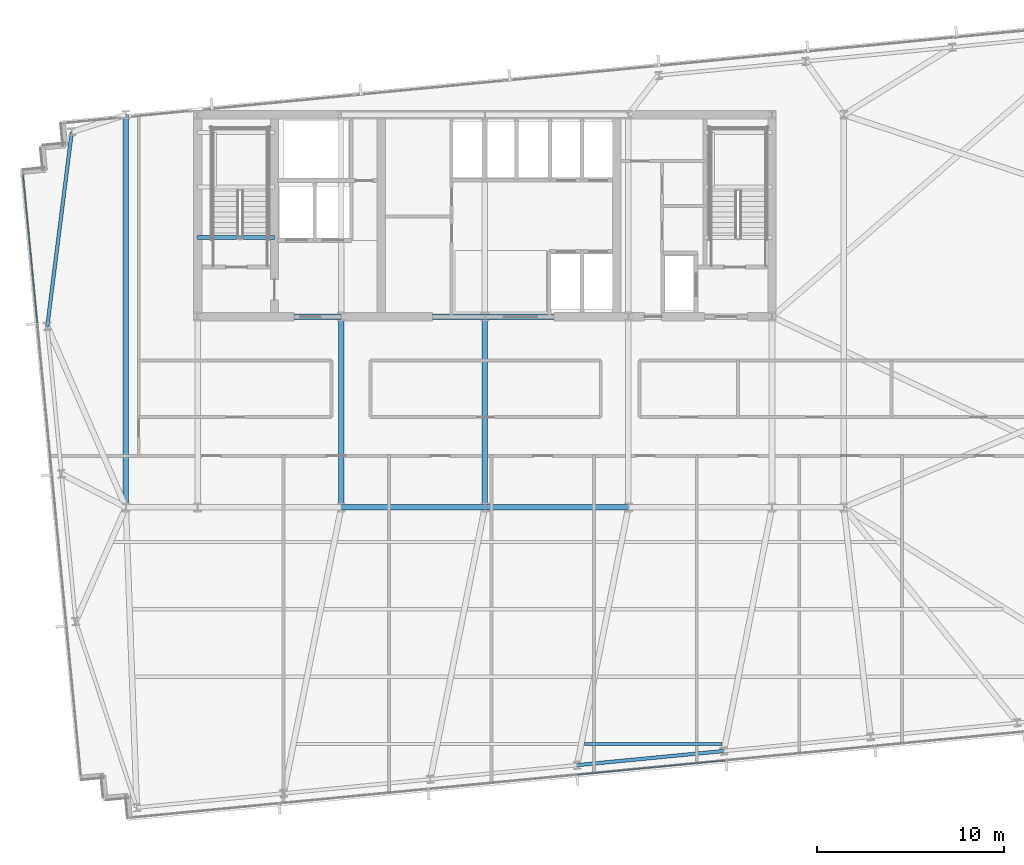
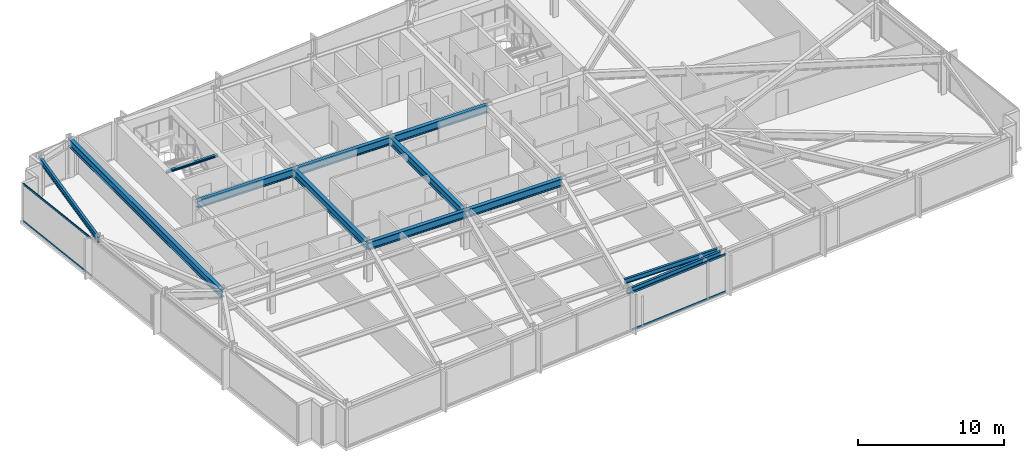
# One storey, part 9 of 32: 12 beams, 4 members, 2 elements without a shape of their own.
"""IFC4 building model written with IfcOpenShell, lengths in metres."""

import ifcopenshell
import ifcopenshell.guid

model = None  # the IFC model being written
_history = None  # IfcOwnerHistory: only IFC2X3 demands one
_inside = {}  # id of a spatial element -> (the spatial element, [elements in it])
_under = {}  # id of a project, library or spatial element -> (it, [spatial elements below it])
_declared = {}  # id of a project -> (the project, [libraries it declares])
_typed = {}  # id of a type object -> (the type object, [elements of that type])
_made_of = {}  # id of a material, layer set ... -> (it, [elements and type objects made of it])


def new_model(schema):
    """Start an empty IFC model of exactly this schema.

    Asked for "IFC4X3", IfcOpenShell would pick the latest addendum, in which some entities
    have other attributes; the version numbers below select the first issue.
    IFC2X3 requires an IfcOwnerHistory on every rooted entity: one is made here for all.
    """
    global model, _history
    if schema == "IFC4X3":
        model = ifcopenshell.file(schema_version=(4, 3, 0, 0))
    else:
        model = ifcopenshell.file(schema=schema)
    _inside.clear()
    _under.clear()
    _declared.clear()
    _typed.clear()
    _made_of.clear()
    _history = None
    if model.schema == "IFC2X3":
        org = make("IfcOrganization", Name="unknown")
        user = make(
            "IfcPersonAndOrganization",
            ThePerson=make("IfcPerson", FamilyName="unknown"),
            TheOrganization=org,
        )
        app = make(
            "IfcApplication",
            ApplicationDeveloper=org,
            Version="unknown",
            ApplicationFullName="unknown",
            ApplicationIdentifier="unknown",
        )
        _history = make(
            "IfcOwnerHistory",
            OwningUser=user,
            OwningApplication=app,
            ChangeAction="ADDED",
            CreationDate=0,
        )
    return model


def make(cls, **values):
    """One entity of the class cls with the attributes given. An attribute that is None is left unset."""
    return model.create_entity(
        cls, **{name: value for name, value in values.items() if value is not None}
    )


def rooted(cls, **values):
    """An entity with a GlobalId (a new one), such as an element, a storey or a relation."""
    return make(cls, GlobalId=ifcopenshell.guid.new(), OwnerHistory=_history, **values)


def si_unit(unit_type, name, prefix=None):
    """IfcSIUnit, for example si_unit("LENGTHUNIT", "METRE", prefix="MILLI")."""
    return make("IfcSIUnit", UnitType=unit_type, Prefix=prefix, Name=name)


def assignment(units):
    """IfcUnitAssignment: the units of a project."""
    return None if units is None else make("IfcUnitAssignment", Units=units)


def point(xyz):
    """IfcCartesianPoint."""
    return None if xyz is None else make("IfcCartesianPoint", Coordinates=xyz)


def direction(xyz):
    """IfcDirection."""
    return None if xyz is None else make("IfcDirection", DirectionRatios=xyz)


def frame(location, z_axis=None, x_axis=None):
    """IfcAxis2Placement3D, a coordinate frame: its origin and axes. An axis left out is left unset."""
    return make(
        "IfcAxis2Placement3D",
        Location=point(location),
        Axis=direction(z_axis),
        RefDirection=direction(x_axis),
    )


def frame_2d(location, x_axis=None):
    """IfcAxis2Placement2D, a coordinate frame in the plane: its origin and x axis."""
    return make(
        "IfcAxis2Placement2D", Location=point(location), RefDirection=direction(x_axis)
    )


def origin():
    """The frame at (0, 0, 0) with its axes left unset."""
    return frame((0.0, 0.0, 0.0))


def origin_2d():
    """The frame at (0, 0) in the plane with its x axis left unset."""
    return frame_2d((0.0, 0.0))


def place(relative_to, where):
    """IfcLocalPlacement: puts the frame where relative to a parent placement (None: the world)."""
    return make(
        "IfcLocalPlacement", PlacementRelTo=relative_to, RelativePlacement=where
    )


def context(
    kind, dimensions, precision=None, world=None, true_north=None, identifier=None
):
    """IfcGeometricRepresentationContext, for example the 3D "Model" context."""
    return make(
        "IfcGeometricRepresentationContext",
        ContextIdentifier=identifier,
        ContextType=kind,
        CoordinateSpaceDimension=dimensions,
        Precision=precision,
        WorldCoordinateSystem=world,
        TrueNorth=true_north,
    )


def subcontext(parent, identifier, kind, view, scale=None):
    """IfcGeometricRepresentationSubContext, for example "Body" below "Model"."""
    return make(
        "IfcGeometricRepresentationSubContext",
        ContextIdentifier=identifier,
        ContextType=kind,
        ParentContext=parent,
        TargetScale=scale,
        TargetView=view,
    )


def project(units=None, contexts=None):
    """IfcProject with its units and contexts."""
    return rooted(
        "IfcProject",
        Name="project",
        RepresentationContexts=contexts,
        UnitsInContext=assignment(units),
    )


def spatial(cls, under=None, at=None, **own):
    """A site, building, storey or space (cls), placed at a placement, below another one or the project."""
    s = rooted(cls, ObjectPlacement=at, **own)
    if under is not None:
        _under.setdefault(under.id(), (under, []))[1].append(s)
    return s


def profile(cls, at=None, kind="AREA", **sizes):
    """A parametric profile (cls). Its sizes go by their IFC names, for example OverallWidth=200.0."""
    return make(cls, ProfileType=kind, Position=at, **sizes)


def hollow_rectangle(**sizes):
    """IfcRectangleHollowProfileDef."""
    return profile("IfcRectangleHollowProfileDef", **sizes)


def i_section(**sizes):
    """IfcIShapeProfileDef."""
    return profile("IfcIShapeProfileDef", **sizes)


def extrude(swept, where, along, depth):
    """IfcExtrudedAreaSolid: the profile swept, set in the frame where, extruded along a direction by depth."""
    return make(
        "IfcExtrudedAreaSolid",
        SweptArea=swept,
        Position=where,
        ExtrudedDirection=direction(along),
        Depth=depth,
    )


def shape(context_of_items, identifier, shape_type, items):
    """IfcShapeRepresentation: the items that make up one representation, for example the "Body"."""
    return make(
        "IfcShapeRepresentation",
        ContextOfItems=context_of_items,
        RepresentationIdentifier=identifier,
        RepresentationType=shape_type,
        Items=items,
    )


def material(Name=None, Category=None):
    """IfcMaterial."""
    return make("IfcMaterial", Name=Name, Category=Category)


def material_profile(
    of_material, cross_section, Name=None, Category=None, Priority=None
):
    """IfcMaterialProfile: a cross section and its material."""
    return make(
        "IfcMaterialProfile",
        Name=Name,
        Material=of_material,
        Profile=cross_section,
        Priority=Priority,
        Category=Category,
    )


def profile_set(profiles, Name=None, composite=None):
    """IfcMaterialProfileSet."""
    return make(
        "IfcMaterialProfileSet",
        Name=Name,
        MaterialProfiles=profiles,
        CompositeProfile=composite,
    )


def made_of(thing, what):
    """Note that an element or type object is made of a material, layer set ...; save() writes the relation."""
    if what is not None:
        _made_of.setdefault(what.id(), (what, []))[1].append(thing)
    return thing


def type_object(cls, material=None, **own):
    """A type object (cls), such as IfcWallType, which elements share."""
    return made_of(rooted(cls, **own), material)


def element(
    cls,
    number,
    at=None,
    inside=None,
    cuts=None,
    type_object=None,
    material=None,
    context=None,
    identifier="Body",
    shape_type=None,
    held_by="IfcProductDefinitionShape",
    body=None,
    shapes=None,
    **own,
):
    """One element of the class cls, such as IfcWall. Its Tag is "e" and its number.

    at: its placement. inside: the storey or other place that contains it. cuts: it is an
    opening in that element (IfcRelVoidsElement). A single representation is given by context,
    identifier, shape_type and body (its items); several are given by shapes. held_by: the class
    of the entity that holds the representations. save() writes the other relations.
    """
    e = rooted(cls, Tag="e%d" % number, ObjectPlacement=at, **own)
    if body is not None:
        shapes = [shape(context, identifier, shape_type, body)]
    if shapes is not None:
        e.Representation = make(held_by, Representations=shapes)
    if inside is not None:
        _inside.setdefault(inside.id(), (inside, []))[1].append(e)
    if cuts is not None:
        rooted(
            "IfcRelVoidsElement", RelatingBuildingElement=cuts, RelatedOpeningElement=e
        )
    if type_object is not None:
        _typed.setdefault(type_object.id(), (type_object, []))[1].append(e)
    return made_of(e, material)


def aggregate(whole, parts):
    """IfcRelAggregates: a whole, such as a stair, and the parts it consists of."""
    return rooted("IfcRelAggregates", RelatingObject=whole, RelatedObjects=parts)


def save(model, path):
    """Write the relations noted so far, then the file.

    IfcRelAggregates (storeys below a building ...), IfcRelContainedInSpatialStructure (elements
    in a storey), IfcRelDefinesByType, IfcRelAssociatesMaterial and IfcRelDeclares: one each for
    every whole, place, type object, material and project.
    """
    for whole, parts in _under.values():
        aggregate(whole, parts)
    for where, things in _inside.values():
        rooted(
            "IfcRelContainedInSpatialStructure",
            RelatedElements=things,
            RelatingStructure=where,
        )
    for kind, things in _typed.values():
        rooted("IfcRelDefinesByType", RelatedObjects=things, RelatingType=kind)
    for what, things in _made_of.values():
        rooted("IfcRelAssociatesMaterial", RelatedObjects=things, RelatingMaterial=what)
    for by, libraries in _declared.values():
        rooted("IfcRelDeclares", RelatingContext=by, RelatedDefinitions=libraries)
    model.write(path)


model = new_model("IFC4")

# Units and contexts
model_context = context("Model", 3, precision=1e-05, world=origin(), true_north=direction((0.0, 1.0)))
body_context = subcontext(model_context, "Body", "Model", "MODEL_VIEW")
ifc_project = project(units=[si_unit("LENGTHUNIT", "METRE"), si_unit("AREAUNIT", "SQUARE_METRE"), si_unit("VOLUMEUNIT", "CUBIC_METRE"), si_unit("PLANEANGLEUNIT", "RADIAN"), si_unit("MASSUNIT", "GRAM", prefix="KILO")], contexts=[model_context])

# Site, building, storey
site_placement = place(None, origin())
site = spatial("IfcSite", under=ifc_project, at=site_placement, CompositionType="ELEMENT")
building_placement = place(site_placement, origin())
building = spatial("IfcBuilding", under=site, at=building_placement, Name="Yelkora Congress Tower", CompositionType="ELEMENT")
storey_placement = place(building_placement, frame((0.0, 0.0, 130.5)))
storey = spatial("IfcBuildingStorey", under=building, at=storey_placement, Name="L35", CompositionType="ELEMENT", Elevation=130.5)

# Beams
ifc_material_1 = material(Name="Steel S355J2", Category="steel")
ifc_material_profile_1 = material_profile(ifc_material_1, i_section(OverallWidth=0.300048828125, OverallDepth=0.64990234375, WebThickness=0.01611328125, FlangeThickness=0.031005859375, FilletRadius=0.027099609375, at=origin_2d()), Name="HEB 650")
ifc_profile_set_1 = profile_set([ifc_material_profile_1], Name="Steel S355J2")
beam_type_1 = type_object("IfcBeamType", Name="BM-GIRD-HEB650", PredefinedType="BEAM", material=ifc_profile_set_1)
beam_1_placement = place(storey_placement, frame((30.719970703125, 25.199951171875, 2.85498046875), z_axis=(1.0, 0.0, 0.0), x_axis=(0.0, 1.0, 0.0)))
element("IfcBeam", 1, at=beam_1_placement, inside=storey, type_object=beam_type_1, Name="L35 Spine Grid D Girder 3", PredefinedType="BEAM", context=body_context, shape_type="SweptSolid", body=[
    extrude(i_section(OverallWidth=0.300048828125, OverallDepth=0.64990234375, WebThickness=0.01611328125, FlangeThickness=0.031005859375, FilletRadius=0.027099609375, at=origin_2d()), origin(), (0.0, 0.0, 1.0), 7.679931640625),
])
beam_2_placement = place(storey_placement, frame((38.39990234375, 25.199951171875, 2.85498046875), z_axis=(1.0, 0.0, 0.0), x_axis=(0.0, 1.0, 0.0)))
element("IfcBeam", 2, at=beam_2_placement, inside=storey, type_object=beam_type_1, Name="L35 Spine Grid D Girder 4", PredefinedType="BEAM", context=body_context, shape_type="SweptSolid", body=[
    extrude(i_section(OverallWidth=0.300048828125, OverallDepth=0.64990234375, WebThickness=0.01611328125, FlangeThickness=0.031005859375, FilletRadius=0.027099609375, at=origin_2d()), origin(), (0.0, 0.0, 1.0), 7.68017578125),
])
for number, where, z_axis, x_axis, name in (
    (3, (23.0400390625, 35.39990234375, 2.85498046875), (1.0, 0.0, 0.0), (0.0, 1.0, 0.0), "L35 Core South Girder 1"),
    (4, (30.719970703125, 35.39990234375, 2.85498046875), (1.0, 0.0, 0.0), (0.0, 1.0, 0.0), "L35 Core South Girder 2"),
):
    element("IfcBeam", number, at=place(storey_placement, frame(where, z_axis=z_axis, x_axis=x_axis)), inside=storey, type_object=beam_type_1, Name=name, PredefinedType="BEAM", context=body_context, shape_type="SweptSolid", body=[
        extrude(i_section(OverallWidth=0.300048828125, OverallDepth=0.64990234375, WebThickness=0.01611328125, FlangeThickness=0.031005859375, FilletRadius=0.027099609375, at=origin_2d()), origin(), (0.0, 0.0, 1.0), 7.679931640625),
    ])
beam_3_placement = place(storey_placement, frame((38.39990234375, 35.39990234375, 2.85498046875), z_axis=(1.0, 0.0, 0.0), x_axis=(0.0, 1.0, 0.0)))
element("IfcBeam", 5, at=beam_3_placement, inside=storey, type_object=beam_type_1, Name="L35 Core South Girder 3", PredefinedType="BEAM", context=body_context, shape_type="SweptSolid", body=[
    extrude(i_section(OverallWidth=0.300048828125, OverallDepth=0.64990234375, WebThickness=0.01611328125, FlangeThickness=0.031005859375, FilletRadius=0.027099609375, at=origin_2d()), origin(), (0.0, 0.0, 1.0), 7.68017578125),
])
for number, where, z_axis, x_axis, name in (
    (6, (30.719970703125, 25.199951171875, 2.85498046875), (0.0, 1.0, 0.0), (-1.0, 0.0, 0.0), "L35 Core Tie Girder MC-D2"),
    (7, (38.39990234375, 25.199951171875, 2.85498046875), (0.0, 1.0, 0.0), (-1.0, 0.0, 0.0), "L35 Core Tie Girder MC-D3"),
):
    element("IfcBeam", number, at=place(storey_placement, frame(where, z_axis=z_axis, x_axis=x_axis)), inside=storey, type_object=beam_type_1, Name=name, PredefinedType="BEAM", context=body_context, shape_type="SweptSolid", body=[
        extrude(i_section(OverallWidth=0.300048828125, OverallDepth=0.64990234375, WebThickness=0.01611328125, FlangeThickness=0.031005859375, FilletRadius=0.027099609375, at=origin_2d()), origin(), (0.0, 0.0, 1.0), 10.199951171875),
    ])
beam_4_placement = place(storey_placement, frame((19.199951171875, 25.199951171875, 2.85498046875), z_axis=(0.0, 1.0, 0.0), x_axis=(-1.0, 0.0, 0.0)))
element("IfcBeam", 8, at=beam_4_placement, inside=storey, type_object=beam_type_1, Name="L35 Neck Flank Girder MC-F1", PredefinedType="BEAM", context=body_context, shape_type="SweptSolid", body=[
    extrude(i_section(OverallWidth=0.300048828125, OverallDepth=0.64990234375, WebThickness=0.01611328125, FlangeThickness=0.031005859375, FilletRadius=0.027099609375, at=origin_2d()), origin(), (0.0, 0.0, 1.0), 21.0),
])
ifc_material_profile_2 = material_profile(ifc_material_1, i_section(OverallWidth=0.179931640625, OverallDepth=0.39990234375, WebThickness=0.008544921875, FlangeThickness=0.013427734375, FilletRadius=0.02099609375, at=origin_2d()), Name="IPE 400")
ifc_profile_set_2 = profile_set([ifc_material_profile_2], Name="Steel S355J2")
beam_type_2 = type_object("IfcBeamType", Name="BM-JOIST-IPE400", PredefinedType="JOIST", material=ifc_profile_set_2)
beam_5_placement = place(storey_placement, frame((43.7197265625, 12.54443359375, 2.97998046875), z_axis=(1.0, 0.0, 0.0), x_axis=(0.0, 1.0, 0.0)))
element("IfcBeam", 9, at=beam_5_placement, inside=storey, type_object=beam_type_2, Name="L35 Composite Floor Joist 3", PredefinedType="JOIST", context=body_context, shape_type="SweptSolid", body=[
    extrude(i_section(OverallWidth=0.179931640625, OverallDepth=0.39990234375, WebThickness=0.008544921875, FlangeThickness=0.013427734375, FilletRadius=0.02099609375, at=origin_2d()), origin(), (0.0, 0.0, 1.0), 7.37841796875),
])
ifc_material_profile_3 = material_profile(ifc_material_1, i_section(OverallWidth=0.199951171875, OverallDepth=0.18994140625, WebThickness=0.006591796875, FlangeThickness=0.010009765625, FilletRadius=0.01806640625, at=origin_2d()), Name="HEA 200")
ifc_profile_set_3 = profile_set([ifc_material_profile_3], Name="Steel S355J2")
beam_type_3 = type_object("IfcBeamType", Name="BM-LAND-HEA200", PredefinedType="BEAM", material=ifc_profile_set_3)
beam_6_placement = place(storey_placement, frame((23.0400390625, 39.639892578125, 2.947509765625), z_axis=(1.0, 0.0, 0.0), x_axis=(0.0, 1.0, 0.0)))
element("IfcBeam", 10, at=beam_6_placement, inside=storey, type_object=beam_type_3, Name="ST-01 L35 Floor Arrival Stringer Header Beam", PredefinedType="BEAM", context=body_context, shape_type="SweptSolid", body=[
    extrude(i_section(OverallWidth=0.199951171875, OverallDepth=0.18994140625, WebThickness=0.006591796875, FlangeThickness=0.010009765625, FilletRadius=0.01806640625, at=origin_2d()), origin(), (0.0, 0.0, 1.0), 4.10986328125),
])
ifc_material_profile_4 = material_profile(ifc_material_1, i_section(OverallWidth=0.18994140625, OverallDepth=0.449951171875, WebThickness=0.009521484375, FlangeThickness=0.0146484375, FilletRadius=0.02099609375, at=origin_2d()), Name="IPE 450")
ifc_profile_set_4 = profile_set([ifc_material_profile_4], Name="Steel S355J2")
beam_type_4 = type_object("IfcBeamType", Name="BM-SPAN-IPE450", PredefinedType="SPANDREL", material=ifc_profile_set_4)
beam_7_placement = place(storey_placement, frame((43.334228515625, 11.411865234375, 2.955078125), z_axis=(0.995398529126, 0.09582154358, 0.0), x_axis=(-0.09582154358, 0.995398529126, 0.0)))
element("IfcBeam", 11, at=beam_7_placement, inside=storey, type_object=beam_type_4, Name="L35 Perimeter Beam 6", PredefinedType="SPANDREL", context=body_context, shape_type="SweptSolid", body=[
    extrude(i_section(OverallWidth=0.18994140625, OverallDepth=0.449951171875, WebThickness=0.009521484375, FlangeThickness=0.0146484375, FilletRadius=0.02099609375, at=origin_2d()), origin(), (0.0, 0.0, 1.0), 7.8857421875),
])
beam_8_placement = place(storey_placement, frame((16.306884765625, 45.27734375, 2.955078125), z_axis=(-0.124952129665, -0.992162771571, 0.0), x_axis=(0.992162771571, -0.124952129665, 0.0)))
element("IfcBeam", 12, at=beam_8_placement, inside=storey, type_object=beam_type_4, Name="L35 Perimeter Beam 18", PredefinedType="SPANDREL", context=body_context, shape_type="SweptSolid", body=[
    extrude(i_section(OverallWidth=0.18994140625, OverallDepth=0.449951171875, WebThickness=0.009521484375, FlangeThickness=0.0146484375, FilletRadius=0.02099609375, at=origin_2d()), origin(), (0.0, 0.0, 1.0), 10.48046875),
])

# Curtain wall, members
ifc_material_2 = material(Name="Anodised aluminium and insulated glass", Category="aluminium")
curtain_wall_type = type_object("IfcCurtainWallType", Name="CW-SYS-B2", PredefinedType="NOTDEFINED", material=ifc_material_2)
curtain_wall_1_placement = place(storey_placement, origin())
curtain_wall_1 = element("IfcCurtainWall", 13, at=curtain_wall_1_placement, inside=storey, type_object=curtain_wall_type, Name="L35 Unitised Curtain Wall 5", PredefinedType="NOTDEFINED")
ifc_material_3 = material(Name="Anodised aluminium 6063-T6", Category="aluminium")
ifc_material_profile_5 = material_profile(ifc_material_3, hollow_rectangle(XDim=0.06494140625, YDim=0.159912109375, WallThickness=0.00390625, at=origin_2d()), Name="ALU 65x160x4")
ifc_profile_set_5 = profile_set([ifc_material_profile_5], Name="Anodised aluminium 6063-T6")
member_type = type_object("IfcMemberType", Name="MEM-TR-B2", PredefinedType="USERDEFINED", material=ifc_profile_set_5)
member_1_placement = place(storey_placement, frame((14.466796875, 35.06884765625, 0.032470703125), z_axis=(-0.095858482834, 0.995394972495, 0.0), x_axis=(-0.995394972495, -0.095858482834, 0.0)))
member_1 = element("IfcMember", 14, at=member_1_placement, type_object=member_type, Name="CW-B2 transom 4.1", ObjectType="TRANSOM", PredefinedType="USERDEFINED", context=body_context, shape_type="SweptSolid", body=[
    extrude(hollow_rectangle(XDim=0.06494140625, YDim=0.159912109375, WallThickness=0.00390625, at=origin_2d()), origin(), (0.0, 0.0, 1.0), 8.025146484375),
])
member_2_placement = place(storey_placement, frame((14.466796875, 35.06884765625, 3.1474609375), z_axis=(-0.095858482834, 0.995394972495, 0.0), x_axis=(-0.995394972495, -0.095858482834, 0.0)))
member_2 = element("IfcMember", 15, at=member_2_placement, type_object=member_type, Name="CW-B2 transom 4.2", ObjectType="TRANSOM", PredefinedType="USERDEFINED", context=body_context, shape_type="SweptSolid", body=[
    extrude(hollow_rectangle(XDim=0.06494140625, YDim=0.159912109375, WallThickness=0.00390625, at=origin_2d()), origin(), (0.0, 0.0, 1.0), 8.025146484375),
])
aggregate(curtain_wall_1, [member_1, member_2])

curtain_wall_2_placement = place(storey_placement, origin())
curtain_wall_2 = element("IfcCurtainWall", 16, at=curtain_wall_2_placement, inside=storey, type_object=curtain_wall_type, Name="L35 Unitised Curtain Wall 20", PredefinedType="NOTDEFINED")
member_3_placement = place(storey_placement, frame((51.255859375, 11.662353515625, 0.032470703125), z_axis=(-0.995394074338, -0.095867808848, 0.0), x_axis=(0.095867808848, -0.995394074338, 0.0)))
member_3 = element("IfcMember", 17, at=member_3_placement, type_object=member_type, Name="CW-B2 transom 4.1", ObjectType="TRANSOM", PredefinedType="USERDEFINED", context=body_context, shape_type="SweptSolid", body=[
    extrude(hollow_rectangle(XDim=0.06494140625, YDim=0.159912109375, WallThickness=0.00390625, at=origin_2d()), origin(), (0.0, 0.0, 1.0), 7.932861328125),
])
member_4_placement = place(storey_placement, frame((51.255859375, 11.662353515625, 3.1474609375), z_axis=(-0.995394074338, -0.095867808848, 0.0), x_axis=(0.095867808848, -0.995394074338, 0.0)))
member_4 = element("IfcMember", 18, at=member_4_placement, type_object=member_type, Name="CW-B2 transom 4.2", ObjectType="TRANSOM", PredefinedType="USERDEFINED", context=body_context, shape_type="SweptSolid", body=[
    extrude(hollow_rectangle(XDim=0.06494140625, YDim=0.159912109375, WallThickness=0.00390625, at=origin_2d()), origin(), (0.0, 0.0, 1.0), 7.932861328125),
])
aggregate(curtain_wall_2, [member_3, member_4])

save(model, "model.ifc")
